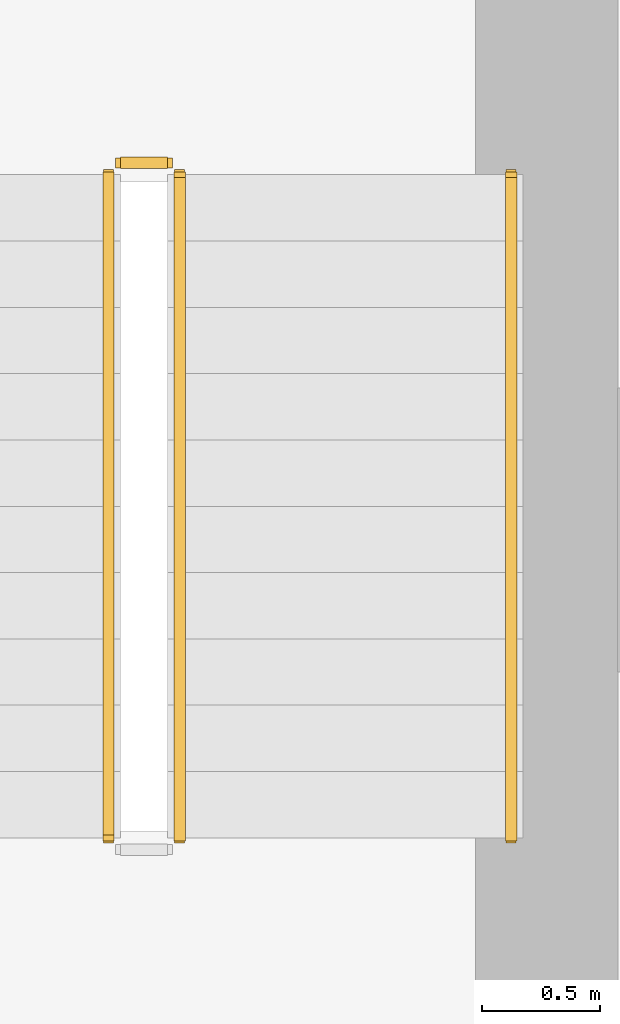
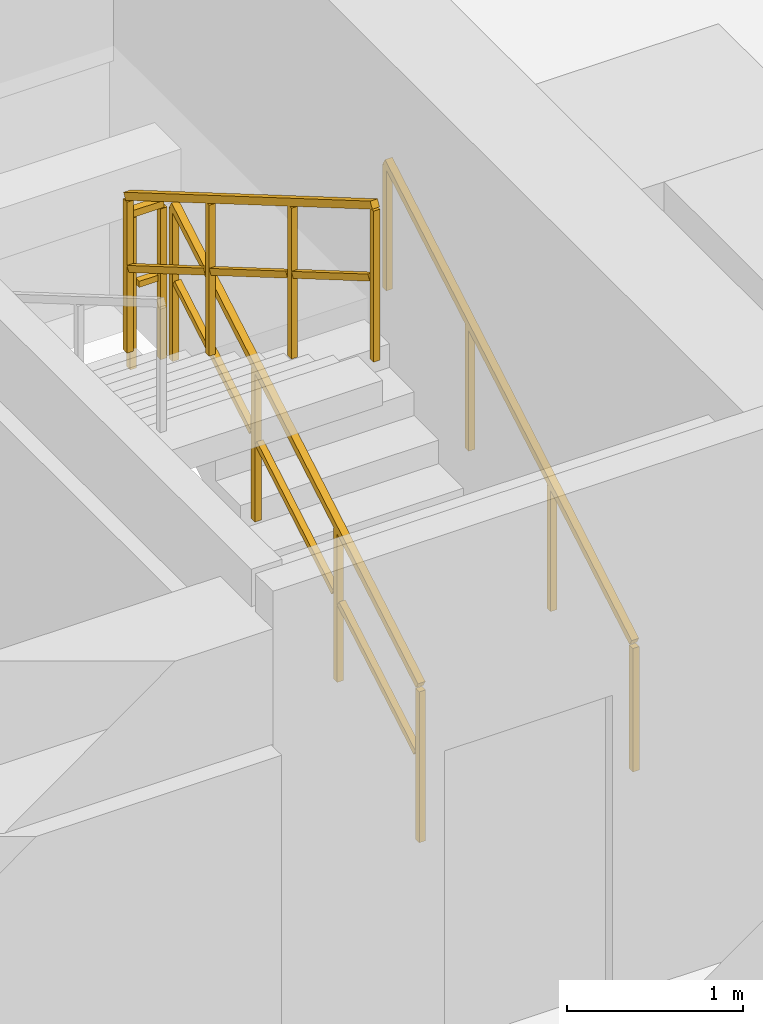
# One storey, part 36 of 36: 4 railings.
"""IFC4 building model written with IfcOpenShell, lengths in metres."""

import ifcopenshell
import ifcopenshell.guid

model = None  # the IFC model being written
_history = None  # IfcOwnerHistory: only IFC2X3 demands one
_inside = {}  # id of a spatial element -> (the spatial element, [elements in it])
_under = {}  # id of a project, library or spatial element -> (it, [spatial elements below it])
_declared = {}  # id of a project -> (the project, [libraries it declares])
_typed = {}  # id of a type object -> (the type object, [elements of that type])
_made_of = {}  # id of a material, layer set ... -> (it, [elements and type objects made of it])


def new_model(schema):
    """Start an empty IFC model of exactly this schema.

    Asked for "IFC4X3", IfcOpenShell would pick the latest addendum, in which some entities
    have other attributes; the version numbers below select the first issue.
    IFC2X3 requires an IfcOwnerHistory on every rooted entity: one is made here for all.
    """
    global model, _history
    if schema == "IFC4X3":
        model = ifcopenshell.file(schema_version=(4, 3, 0, 0))
    else:
        model = ifcopenshell.file(schema=schema)
    _inside.clear()
    _under.clear()
    _declared.clear()
    _typed.clear()
    _made_of.clear()
    _history = None
    if model.schema == "IFC2X3":
        org = make("IfcOrganization", Name="unknown")
        user = make(
            "IfcPersonAndOrganization",
            ThePerson=make("IfcPerson", FamilyName="unknown"),
            TheOrganization=org,
        )
        app = make(
            "IfcApplication",
            ApplicationDeveloper=org,
            Version="unknown",
            ApplicationFullName="unknown",
            ApplicationIdentifier="unknown",
        )
        _history = make(
            "IfcOwnerHistory",
            OwningUser=user,
            OwningApplication=app,
            ChangeAction="ADDED",
            CreationDate=0,
        )
    return model


def make(cls, **values):
    """One entity of the class cls with the attributes given. An attribute that is None is left unset."""
    return model.create_entity(
        cls, **{name: value for name, value in values.items() if value is not None}
    )


def rooted(cls, **values):
    """An entity with a GlobalId (a new one), such as an element, a storey or a relation."""
    return make(cls, GlobalId=ifcopenshell.guid.new(), OwnerHistory=_history, **values)


def si_unit(unit_type, name, prefix=None):
    """IfcSIUnit, for example si_unit("LENGTHUNIT", "METRE", prefix="MILLI")."""
    return make("IfcSIUnit", UnitType=unit_type, Prefix=prefix, Name=name)


def assignment(units):
    """IfcUnitAssignment: the units of a project."""
    return None if units is None else make("IfcUnitAssignment", Units=units)


def point(xyz):
    """IfcCartesianPoint."""
    return None if xyz is None else make("IfcCartesianPoint", Coordinates=xyz)


def direction(xyz):
    """IfcDirection."""
    return None if xyz is None else make("IfcDirection", DirectionRatios=xyz)


def frame(location, z_axis=None, x_axis=None):
    """IfcAxis2Placement3D, a coordinate frame: its origin and axes. An axis left out is left unset."""
    return make(
        "IfcAxis2Placement3D",
        Location=point(location),
        Axis=direction(z_axis),
        RefDirection=direction(x_axis),
    )


def frame_2d(location, x_axis=None):
    """IfcAxis2Placement2D, a coordinate frame in the plane: its origin and x axis."""
    return make(
        "IfcAxis2Placement2D", Location=point(location), RefDirection=direction(x_axis)
    )


def origin():
    """The frame at (0, 0, 0) with its axes left unset."""
    return frame((0.0, 0.0, 0.0))


def origin_2d():
    """The frame at (0, 0) in the plane with its x axis left unset."""
    return frame_2d((0.0, 0.0))


def place(relative_to, where):
    """IfcLocalPlacement: puts the frame where relative to a parent placement (None: the world)."""
    return make(
        "IfcLocalPlacement", PlacementRelTo=relative_to, RelativePlacement=where
    )


def context(
    kind, dimensions, precision=None, world=None, true_north=None, identifier=None
):
    """IfcGeometricRepresentationContext, for example the 3D "Model" context."""
    return make(
        "IfcGeometricRepresentationContext",
        ContextIdentifier=identifier,
        ContextType=kind,
        CoordinateSpaceDimension=dimensions,
        Precision=precision,
        WorldCoordinateSystem=world,
        TrueNorth=true_north,
    )


def subcontext(parent, identifier, kind, view, scale=None):
    """IfcGeometricRepresentationSubContext, for example "Body" below "Model"."""
    return make(
        "IfcGeometricRepresentationSubContext",
        ContextIdentifier=identifier,
        ContextType=kind,
        ParentContext=parent,
        TargetScale=scale,
        TargetView=view,
    )


def project(units=None, contexts=None):
    """IfcProject with its units and contexts."""
    return rooted(
        "IfcProject",
        Name="project",
        RepresentationContexts=contexts,
        UnitsInContext=assignment(units),
    )


def spatial(cls, under=None, at=None, **own):
    """A site, building, storey or space (cls), placed at a placement, below another one or the project."""
    s = rooted(cls, ObjectPlacement=at, **own)
    if under is not None:
        _under.setdefault(under.id(), (under, []))[1].append(s)
    return s


def profile(cls, at=None, kind="AREA", **sizes):
    """A parametric profile (cls). Its sizes go by their IFC names, for example OverallWidth=200.0."""
    return make(cls, ProfileType=kind, Position=at, **sizes)


def rectangle(**sizes):
    """IfcRectangleProfileDef."""
    return profile("IfcRectangleProfileDef", **sizes)


def extrude(swept, where, along, depth):
    """IfcExtrudedAreaSolid: the profile swept, set in the frame where, extruded along a direction by depth."""
    return make(
        "IfcExtrudedAreaSolid",
        SweptArea=swept,
        Position=where,
        ExtrudedDirection=direction(along),
        Depth=depth,
    )


def shape(context_of_items, identifier, shape_type, items):
    """IfcShapeRepresentation: the items that make up one representation, for example the "Body"."""
    return make(
        "IfcShapeRepresentation",
        ContextOfItems=context_of_items,
        RepresentationIdentifier=identifier,
        RepresentationType=shape_type,
        Items=items,
    )


def material(Name=None, Category=None):
    """IfcMaterial."""
    return make("IfcMaterial", Name=Name, Category=Category)


def made_of(thing, what):
    """Note that an element or type object is made of a material, layer set ...; save() writes the relation."""
    if what is not None:
        _made_of.setdefault(what.id(), (what, []))[1].append(thing)
    return thing


def type_object(cls, material=None, **own):
    """A type object (cls), such as IfcWallType, which elements share."""
    return made_of(rooted(cls, **own), material)


def element(
    cls,
    number,
    at=None,
    inside=None,
    cuts=None,
    type_object=None,
    material=None,
    context=None,
    identifier="Body",
    shape_type=None,
    held_by="IfcProductDefinitionShape",
    body=None,
    shapes=None,
    **own,
):
    """One element of the class cls, such as IfcWall. Its Tag is "e" and its number.

    at: its placement. inside: the storey or other place that contains it. cuts: it is an
    opening in that element (IfcRelVoidsElement). A single representation is given by context,
    identifier, shape_type and body (its items); several are given by shapes. held_by: the class
    of the entity that holds the representations. save() writes the other relations.
    """
    e = rooted(cls, Tag="e%d" % number, ObjectPlacement=at, **own)
    if body is not None:
        shapes = [shape(context, identifier, shape_type, body)]
    if shapes is not None:
        e.Representation = make(held_by, Representations=shapes)
    if inside is not None:
        _inside.setdefault(inside.id(), (inside, []))[1].append(e)
    if cuts is not None:
        rooted(
            "IfcRelVoidsElement", RelatingBuildingElement=cuts, RelatedOpeningElement=e
        )
    if type_object is not None:
        _typed.setdefault(type_object.id(), (type_object, []))[1].append(e)
    return made_of(e, material)


def aggregate(whole, parts):
    """IfcRelAggregates: a whole, such as a stair, and the parts it consists of."""
    return rooted("IfcRelAggregates", RelatingObject=whole, RelatedObjects=parts)


def save(model, path):
    """Write the relations noted so far, then the file.

    IfcRelAggregates (storeys below a building ...), IfcRelContainedInSpatialStructure (elements
    in a storey), IfcRelDefinesByType, IfcRelAssociatesMaterial and IfcRelDeclares: one each for
    every whole, place, type object, material and project.
    """
    for whole, parts in _under.values():
        aggregate(whole, parts)
    for where, things in _inside.values():
        rooted(
            "IfcRelContainedInSpatialStructure",
            RelatedElements=things,
            RelatingStructure=where,
        )
    for kind, things in _typed.values():
        rooted("IfcRelDefinesByType", RelatedObjects=things, RelatingType=kind)
    for what, things in _made_of.values():
        rooted("IfcRelAssociatesMaterial", RelatedObjects=things, RelatingMaterial=what)
    for by, libraries in _declared.values():
        rooted("IfcRelDeclares", RelatingContext=by, RelatedDefinitions=libraries)
    model.write(path)


model = new_model("IFC4")

# Units and contexts
model_context = context("Model", 3, precision=1e-05, world=origin(), true_north=direction((0.0, 1.0)))
body_context = subcontext(model_context, "Body", "Model", "MODEL_VIEW")
ifc_project = project(units=[si_unit("LENGTHUNIT", "METRE"), si_unit("AREAUNIT", "SQUARE_METRE"), si_unit("VOLUMEUNIT", "CUBIC_METRE"), si_unit("PLANEANGLEUNIT", "RADIAN"), si_unit("MASSUNIT", "GRAM", prefix="KILO")], contexts=[model_context])

# Site, building, storey
site_placement = place(None, origin())
site = spatial("IfcSite", under=ifc_project, at=site_placement, CompositionType="ELEMENT")
building_placement = place(site_placement, origin())
building = spatial("IfcBuilding", under=site, at=building_placement, Name="Thornwick Lancets Civic Towers", CompositionType="ELEMENT")
storey_placement = place(building_placement, frame((0.0, 0.0, 116.10009765625)))
storey = spatial("IfcBuildingStorey", under=building, at=storey_placement, Name="L30", CompositionType="ELEMENT", Elevation=116.10009765625)

# Railings
ifc_material_1 = material(Name="Brushed stainless steel S355", Category="steel")
railing_type_1 = type_object("IfcRailingType", Name="RAIL_HANDRAIL", PredefinedType="HANDRAIL", material=ifc_material_1)
railing_1_placement = place(storey_placement, frame((100.449951171875, 20.89990234375, 0.16357421875)))
element("IfcRailing", 1, at=railing_1_placement, inside=storey, type_object=railing_type_1, Name="L30 ST-B1 stair handrail 1", PredefinedType="HANDRAIL", context=body_context, shape_type="SweptSolid", body=[
    extrude(rectangle(XDim=0.048095703125, YDim=0.048095703125, at=origin_2d()), frame((0.0, 0.0, 0.8857421875), z_axis=(0.0, 0.863393664356, 0.504530851732), x_axis=(-1.0, 0.0, 0.0)), (0.0, 0.0, 1.0), 3.2431640625),
    extrude(rectangle(XDim=0.0419921875, YDim=0.0419921875, at=origin_2d()), origin(), (0.0, 0.0, 1.0), 0.855712890625),
    extrude(rectangle(XDim=0.0419921875, YDim=0.0419921875, at=origin_2d()), frame((0.0, 0.933349609375, 0.54541015625)), (0.0, 0.0, 1.0), 0.855712890625),
    extrude(rectangle(XDim=0.0419921875, YDim=0.0419921875, at=origin_2d()), frame((0.0, 1.86669921875, 1.0908203125)), (0.0, 0.0, 1.0), 0.855712890625),
    extrude(rectangle(XDim=0.0419921875, YDim=0.0419921875, at=origin_2d()), frame((0.0, 2.800048828125, 1.63623046875)), (0.0, 0.0, 1.0), 0.855712890625),
])
ifc_material_2 = material(Name="Steel S355JR", Category="steel")
railing_type_2 = type_object("IfcRailingType", Name="RAIL_STAIR_GUARD", PredefinedType="GUARDRAIL", material=ifc_material_2)
railing_2_placement = place(storey_placement, frame((99.050048828125, 20.89990234375, 0.16357421875)))
element("IfcRailing", 2, at=railing_2_placement, inside=storey, type_object=railing_type_2, Name="L30 ST-B1 stair guard 1", PredefinedType="GUARDRAIL", context=body_context, shape_type="SweptSolid", body=[
    extrude(rectangle(XDim=0.048095703125, YDim=0.048095703125, at=origin_2d()), frame((0.0, 0.0, 1.076171875), z_axis=(0.0, 0.863393664356, 0.504530851732), x_axis=(-1.0, 0.0, 0.0)), (0.0, 0.0, 1.0), 3.2431640625),
    extrude(rectangle(XDim=0.0419921875, YDim=0.0419921875, at=origin_2d()), frame((0.0, 0.032470703125, 0.591064453125), z_axis=(0.0, 0.863393664356, 0.504530851732), x_axis=(-1.0, 0.0, 0.0)), (0.0, 0.0, 1.0), 1.006103515625),
    extrude(rectangle(XDim=0.0419921875, YDim=0.0419921875, at=origin_2d()), frame((0.0, 0.9658203125, 1.136474609375), z_axis=(0.0, 0.863393664356, 0.504530851732), x_axis=(-1.0, 0.0, 0.0)), (0.0, 0.0, 1.0), 1.006103515625),
    extrude(rectangle(XDim=0.0419921875, YDim=0.0419921875, at=origin_2d()), frame((0.0, 1.899169921875, 1.681884765625), z_axis=(0.0, 0.863393664356, 0.504530851732), x_axis=(-1.0, 0.0, 0.0)), (0.0, 0.0, 1.0), 1.006103515625),
    extrude(rectangle(XDim=0.0419921875, YDim=0.0419921875, at=origin_2d()), origin(), (0.0, 0.0, 1.0), 1.0458984375),
    extrude(rectangle(XDim=0.0419921875, YDim=0.0419921875, at=origin_2d()), frame((0.0, 0.933349609375, 0.54541015625)), (0.0, 0.0, 1.0), 1.0458984375),
    extrude(rectangle(XDim=0.0419921875, YDim=0.0419921875, at=origin_2d()), frame((0.0, 1.86669921875, 1.0908203125)), (0.0, 0.0, 1.0), 1.0458984375),
    extrude(rectangle(XDim=0.0419921875, YDim=0.0419921875, at=origin_2d()), frame((0.0, 2.800048828125, 1.63623046875)), (0.0, 0.0, 1.0), 1.0458984375),
])
railing_3_placement = place(storey_placement, frame((99.0, 23.75, 1.7998046875)))
element("IfcRailing", 3, at=railing_3_placement, inside=storey, type_object=railing_type_2, Name="L30 ST-B1 stair guard 2", PredefinedType="GUARDRAIL", context=body_context, shape_type="SweptSolid", body=[
    extrude(rectangle(XDim=0.048095703125, YDim=0.048095703125, at=origin_2d()), frame((0.0, 0.0, 1.076171875), z_axis=(-1.0, 0.0, 0.0), x_axis=(0.0, -1.0, 0.0)), (0.0, 0.0, 1.0), 0.199951171875),
    extrude(rectangle(XDim=0.0419921875, YDim=0.0419921875, at=origin_2d()), frame((-0.03759765625, 0.0, 0.572021484375), z_axis=(-1.0, 0.0, 0.0), x_axis=(0.0, -1.0, 0.0)), (0.0, 0.0, 1.0), 0.125),
    extrude(rectangle(XDim=0.0419921875, YDim=0.0419921875, at=origin_2d()), origin(), (0.0, 0.0, 1.0), 1.0458984375),
    extrude(rectangle(XDim=0.0419921875, YDim=0.0419921875, at=origin_2d()), frame((-0.199951171875, 0.0, 0.0)), (0.0, 0.0, 1.0), 1.0458984375),
])
railing_4_placement = place(storey_placement, frame((98.75, 23.699951171875, 1.963623046875)))
element("IfcRailing", 4, at=railing_4_placement, inside=storey, type_object=railing_type_2, Name="L30 ST-B1 stair guard 3", PredefinedType="GUARDRAIL", context=body_context, shape_type="SweptSolid", body=[
    extrude(rectangle(XDim=0.048095703125, YDim=0.048095703125, at=origin_2d()), frame((0.0, 0.0, 1.076171875), z_axis=(0.0, -0.863393664356, 0.504530851732), x_axis=(1.0, 0.0, 0.0)), (0.0, 0.0, 1.0), 3.2431640625),
    extrude(rectangle(XDim=0.0419921875, YDim=0.0419921875, at=origin_2d()), frame((0.0, -0.032470703125, 0.591064453125), z_axis=(0.0, -0.863393664356, 0.504530851732), x_axis=(1.0, 0.0, 0.0)), (0.0, 0.0, 1.0), 1.006103515625),
    extrude(rectangle(XDim=0.0419921875, YDim=0.0419921875, at=origin_2d()), frame((0.0, -0.9658203125, 1.136474609375), z_axis=(0.0, -0.863393664356, 0.504530851732), x_axis=(1.0, 0.0, 0.0)), (0.0, 0.0, 1.0), 1.006103515625),
    extrude(rectangle(XDim=0.0419921875, YDim=0.0419921875, at=origin_2d()), frame((0.0, -1.899169921875, 1.681884765625), z_axis=(0.0, -0.863393664356, 0.504530851732), x_axis=(1.0, 0.0, 0.0)), (0.0, 0.0, 1.0), 1.006103515625),
    extrude(rectangle(XDim=0.0419921875, YDim=0.0419921875, at=origin_2d()), origin(), (0.0, 0.0, 1.0), 1.0458984375),
    extrude(rectangle(XDim=0.0419921875, YDim=0.0419921875, at=origin_2d()), frame((0.0, -0.933349609375, 0.54541015625)), (0.0, 0.0, 1.0), 1.0458984375),
    extrude(rectangle(XDim=0.0419921875, YDim=0.0419921875, at=origin_2d()), frame((0.0, -1.86669921875, 1.0908203125)), (0.0, 0.0, 1.0), 1.0458984375),
    extrude(rectangle(XDim=0.0419921875, YDim=0.0419921875, at=origin_2d()), frame((0.0, -2.800048828125, 1.63623046875)), (0.0, 0.0, 1.0), 1.0458984375),
])

save(model, "model.ifc")
